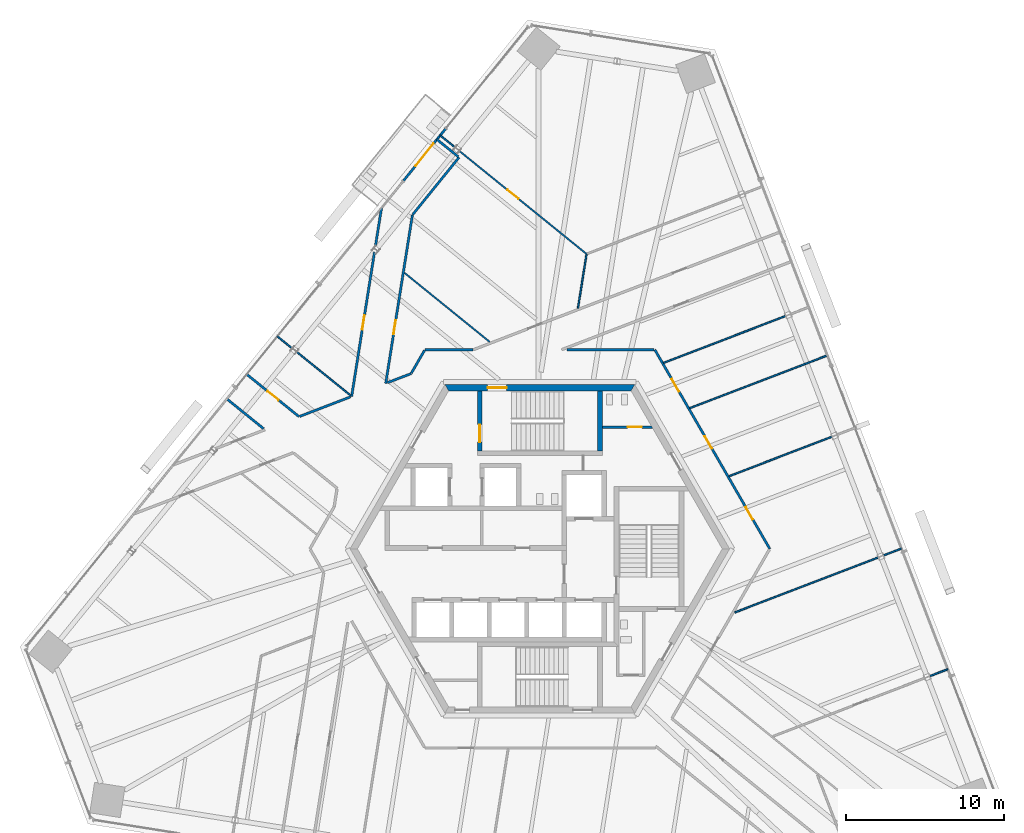
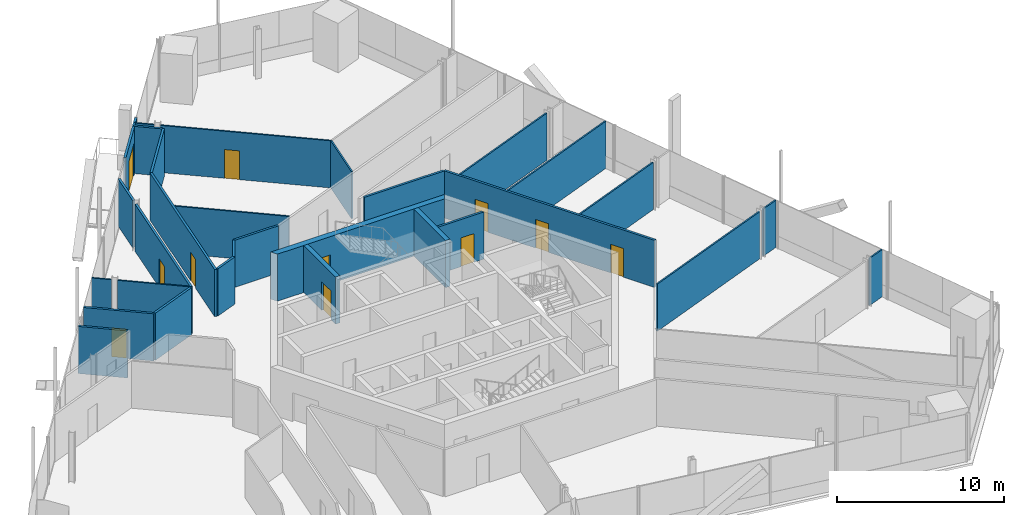
# One storey, part 14 of 21: 30 walls, 11 doors, 11 openings.
"""IFC4 building model written with IfcOpenShell, lengths in metres."""

from ifc_helpers import new_model, si_unit, direction, frame, frame_2d, origin, place, context, subcontext, project, spatial, polyline, rectangle, outline, extrude, source, transform, mapped, material, layer, layer_set, type_object, element, fill, save


model = new_model("IFC4")

# Units and contexts
model_context = context("Model", 3, precision=1e-05, world=origin(), true_north=direction((0.0, 1.0)))
body_context = subcontext(model_context, "Body", "Model", "MODEL_VIEW")
ifc_project = project(units=[si_unit("LENGTHUNIT", "METRE"), si_unit("AREAUNIT", "SQUARE_METRE"), si_unit("VOLUMEUNIT", "CUBIC_METRE"), si_unit("PLANEANGLEUNIT", "RADIAN"), si_unit("MASSUNIT", "GRAM", prefix="KILO")], contexts=[model_context])

# Site, building, storey
site_placement = place(None, origin())
site = spatial("IfcSite", under=ifc_project, at=site_placement, CompositionType="ELEMENT")
building_placement = place(site_placement, origin())
building = spatial("IfcBuilding", under=site, at=building_placement, Name="Triune Harvest Tower", CompositionType="ELEMENT")
storey_placement = place(building_placement, frame((0.0, 0.0, 160.5)))
storey = spatial("IfcBuildingStorey", under=building, at=storey_placement, Name="L41", CompositionType="ELEMENT", Elevation=160.5)

# Walls
ifc_material_1 = material(Name="Gypsum board on steel studs", Category="steel")
ifc_layer_1 = layer(ifc_material_1, 0.14990234375)
ifc_layer_set_1 = layer_set([ifc_layer_1], Name="Gypsum board on steel studs")
wall_type_1 = type_object("IfcWallType", Name="Fire Partition 150 mm", PredefinedType="PARTITIONING", material=ifc_layer_set_1)
wall_1_placement = place(storey_placement, frame((1.716064453125, 12.59228515625, 0.0), z_axis=(0.0, 0.0, 1.0), x_axis=(1.0, 0.0, 0.0)))
element("IfcWall", 1, at=wall_1_placement, inside=storey, type_object=wall_type_1, Name="Partition L41 021", PredefinedType="PARTITIONING", context=body_context, shape_type="SweptSolid", body=[
    extrude(rectangle(XDim=5.504150390625, YDim=0.14990234375, at=frame_2d((2.751953125, 0.0))), origin(), (0.0, 0.0, 1.0), 3.43994140625),
])
wall_2_placement = place(storey_placement, frame((-8.046142578125, 21.130126953125, 0.0), z_axis=(0.0, 0.0, 1.0), x_axis=(0.629303579369, 0.777159574987, 0.0)))
element("IfcWall", 2, at=wall_2_placement, inside=storey, type_object=wall_type_1, Name="Partition L41 041", PredefinedType="PARTITIONING", context=body_context, shape_type="SweptSolid", body=[
    extrude(rectangle(XDim=4.666259765625, YDim=0.14990234375, at=frame_2d((2.3330078125, 0.0))), origin(), (0.0, 0.0, 1.0), 3.43994140625),
])

# Wall, opening, door
wall_3_placement = place(storey_placement, frame((-9.745361328125, 10.465087890625, 0.0), z_axis=(0.0, 0.0, 1.0), x_axis=(0.156440444785, 0.987687393478, 0.0)))
wall_3 = element("IfcWall", 3, at=wall_3_placement, inside=storey, type_object=wall_type_1, Name="Partition L41 051", PredefinedType="PARTITIONING", context=body_context, shape_type="SweptSolid", body=[
    extrude(rectangle(XDim=10.7822265625, YDim=0.14990234375, at=frame_2d((5.39111328125, 0.0))), origin(), (0.0, 0.0, 1.0), 3.43994140625),
])
opening_1_placement = place(wall_3_placement, frame((3.14990234375, 0.0, 0.0)))
opening_1 = element("IfcOpeningElement", 4, at=opening_1_placement, cuts=wall_3, Name="Opening L41-010", PredefinedType="OPENING", context=body_context, shape_type="SweptSolid", body=[
    extrude(rectangle(XDim=0.89990234375, YDim=2.10009765625, at=frame_2d((0.449951171875, 1.050048828125))), frame((0.0, 0.0849609375, 0.0), z_axis=(0.0, -1.0, 0.0), x_axis=(1.0, 0.0, 0.0)), (0.0, 0.0, 1.0), 0.169921875),
])
ifc_material_2 = material(Name="Timber and steel door set", Category="steel")
door_type_1 = type_object("IfcDoorType", Name="Single leaf door FD30 right hand 900 x 2100", OperationType="SINGLE_SWING_RIGHT", PredefinedType="DOOR", material=ifc_material_2)
door_1_placement = place(opening_1_placement, origin())
door_1 = element("IfcDoor", 5, at=door_1_placement, inside=storey, type_object=door_type_1, Name="Door L41-010 Meeting Room 41.10", OperationType="SINGLE_SWING_RIGHT", OverallHeight=2.10009765625, OverallWidth=0.89990234375, PredefinedType="DOOR", context=body_context, shape_type="SweptSolid", body=[
    extrude(rectangle(XDim=0.89990234375, YDim=2.10009765625, at=frame_2d((0.449951171875, 1.050048828125))), frame((0.0, 0.02490234375, 0.0), z_axis=(0.0, -1.0, 0.0), x_axis=(1.0, 0.0, 0.0)), (0.0, 0.0, 1.0), 0.050048828125),
])
fill(opening_1, door_1)

# Wall
ifc_material_3 = material(Name="Gypsum board on steel studs", Category="steel")
ifc_layer_2 = layer(ifc_material_3, 0.10009765625)
ifc_layer_set_2 = layer_set([ifc_layer_2], Name="Gypsum board on steel studs")
wall_type_2 = type_object("IfcWallType", Name="Partition 100 mm", PredefinedType="PARTITIONING", material=ifc_layer_set_2)
wall_4_placement = place(storey_placement, frame((9.475341796875, 8.89111328125, 0.0), z_axis=(0.0, 0.0, 1.0), x_axis=(0.933573651999, 0.358385597219, 0.0)))
element("IfcWall", 6, at=wall_4_placement, inside=storey, type_object=wall_type_2, Name="Partition L41 029", PredefinedType="PARTITIONING", context=body_context, shape_type="SweptSolid", body=[
    extrude(rectangle(XDim=9.318359375, YDim=0.10009765625, at=frame_2d((4.6591796875, 0.0))), origin(), (0.0, 0.0, 1.0), 3.43994140625),
])

# Wall, opening, door
ifc_material_4 = material(Name="Concrete 70 MPa", Category="concrete")
ifc_layer_3 = layer(ifc_material_4, 0.39990234375)
ifc_layer_set_3 = layer_set([ifc_layer_3], Name="Concrete 70 MPa")
wall_type_3 = type_object("IfcWallType", Name="Core wall 400", PredefinedType="SHEAR", material=ifc_layer_set_3)
shared_shape_1 = source(origin(), body_context, "Body", "SweptSolid", [
    extrude(outline(polyline([(-0.115478515625, -0.199951171875), (11.884521484375, -0.199951171875), (11.653564453125, 0.199951171875), (0.115478515625, 0.199951171875), (-0.115478515625, -0.199951171875)])), origin(), (0.0, 0.0, 1.0), 3.43994140625),
])
wall_5_placement = place(storey_placement, frame((5.884521484375, 10.1923828125, 0.0), z_axis=(0.0, 0.0, 1.0), x_axis=(-1.0, 0.0, 0.0)))
wall_5 = element("IfcWall", 7, at=wall_5_placement, inside=storey, type_object=wall_type_3, Name="Hexagon 1 wall", PredefinedType="SHEAR", context=body_context, shape_type="MappedRepresentation", body=[
    mapped(shared_shape_1, transform((0.0, 0.0, 0.0), scale=1.0)),
])
opening_2_placement = place(wall_5_placement, frame((7.984619140625, 0.0, 0.0)))
opening_2 = element("IfcOpeningElement", 8, at=opening_2_placement, cuts=wall_5, Name="Opening CD-S1P", PredefinedType="OPENING", context=body_context, shape_type="SweptSolid", body=[
    extrude(rectangle(XDim=1.199951171875, YDim=2.10009765625, at=frame_2d((0.60009765625, 1.050048828125))), frame((0.0, 0.2099609375, 0.0), z_axis=(0.0, -1.0, 0.0), x_axis=(1.0, 0.0, 0.0)), (0.0, 0.0, 1.0), 0.419921875),
])
ifc_material_5 = material(Name="Steel S235", Category="steel")
door_type_2 = type_object("IfcDoorType", Name="Stair door 1200 FD120", OperationType="SINGLE_SWING_LEFT", PredefinedType="DOOR", material=ifc_material_5)
door_2_placement = place(opening_2_placement, frame((1.199951171875, 0.0, 0.0), z_axis=(0.0, 0.0, 1.0), x_axis=(-1.0, 0.0, 0.0)))
door_2 = element("IfcDoor", 9, at=door_2_placement, inside=storey, type_object=door_type_2, Name="Door CD-S1P", OperationType="SINGLE_SWING_RIGHT", OverallHeight=2.10009765625, OverallWidth=1.199951171875, PredefinedType="DOOR", context=body_context, shape_type="SweptSolid", body=[
    extrude(rectangle(XDim=1.199951171875, YDim=2.10009765625, at=frame_2d((0.60009765625, 1.050048828125))), frame((0.0, 0.02490234375, 0.0), z_axis=(0.0, -1.0, 0.0), x_axis=(1.0, 0.0, 0.0)), (0.0, 0.0, 1.0), 0.050048828125),
])
fill(opening_2, door_2)

ifc_material_6 = material(Name="Concrete 70 MPa", Category="concrete")
ifc_layer_4 = layer(ifc_material_6, 0.300048828125)
ifc_layer_set_4 = layer_set([ifc_layer_4], Name="Concrete 70 MPa")
wall_type_4 = type_object("IfcWallType", Name="Core wall 300", PredefinedType="SHEAR", material=ifc_layer_set_4)
shared_shape_2 = source(origin(), body_context, "Body", "SweptSolid", [
    extrude(outline(polyline([(0.0, -0.14990234375), (0.0, 0.14990234375), (3.80419921875, 0.14990234375), (3.80419921875, -0.14990234375), (0.0, -0.14990234375)])), origin(), (0.0, 0.0, 1.0), 3.43994140625),
])
wall_6_placement = place(storey_placement, frame((-3.800048828125, 6.18994140625, 0.0), z_axis=(0.0, 0.0, 1.0), x_axis=(0.0, 1.0, 0.0)))
wall_6 = element("IfcWall", 10, at=wall_6_placement, inside=storey, type_object=wall_type_4, Name="Stair n west wall", PredefinedType="SHEAR", context=body_context, shape_type="MappedRepresentation", body=[
    mapped(shared_shape_2, transform((0.0, 0.0, 0.0), scale=1.0)),
])
opening_3_placement = place(wall_6_placement, frame((0.56005859375, 0.0, 0.0)))
opening_3 = element("IfcOpeningElement", 11, at=opening_3_placement, cuts=wall_6, Name="Opening CD-S1L", PredefinedType="OPENING", context=body_context, shape_type="SweptSolid", body=[
    extrude(rectangle(XDim=1.10009765625, YDim=2.10009765625, at=frame_2d((0.550048828125, 1.050048828125))), frame((0.0, 0.16015625, 0.0), z_axis=(0.0, -1.0, 0.0), x_axis=(1.0, 0.0, 0.0)), (0.0, 0.0, 1.0), 0.320068359375),
])
ifc_material_7 = material(Name="Steel S235", Category="steel")
door_type_3 = type_object("IfcDoorType", Name="Stair door 1100 FD120", OperationType="SINGLE_SWING_LEFT", PredefinedType="DOOR", material=ifc_material_7)
door_3_placement = place(opening_3_placement, frame((1.10009765625, 0.0, 0.0), z_axis=(0.0, 0.0, 1.0), x_axis=(-1.0, 0.0, 0.0)))
door_3 = element("IfcDoor", 12, at=door_3_placement, inside=storey, type_object=door_type_3, Name="Door CD-S1L", OperationType="SINGLE_SWING_RIGHT", OverallHeight=2.10009765625, OverallWidth=1.10009765625, PredefinedType="DOOR", context=body_context, shape_type="SweptSolid", body=[
    extrude(rectangle(XDim=1.10009765625, YDim=2.10009765625, at=frame_2d((0.550048828125, 1.050048828125))), frame((0.0, 0.02490234375, 0.0), z_axis=(0.0, -1.0, 0.0), x_axis=(1.0, 0.0, 0.0)), (0.0, 0.0, 1.0), 0.050048828125),
])
fill(opening_3, door_3)

# Wall
wall_7_placement = place(storey_placement, frame((3.800048828125, 6.18994140625, 0.0), z_axis=(0.0, 0.0, 1.0), x_axis=(0.0, 1.0, 0.0)))
element("IfcWall", 13, at=wall_7_placement, inside=storey, type_object=wall_type_4, Name="Stair n east wall", PredefinedType="SHEAR", context=body_context, shape_type="MappedRepresentation", body=[
    mapped(shared_shape_2, transform((0.0, 0.0, 0.0), scale=1.0)),
])

# Wall, opening, door
ifc_material_8 = material(Name="Concrete masonry unit", Category="masonry")
ifc_layer_5 = layer(ifc_material_8, 0.14990234375)
ifc_layer_set_5 = layer_set([ifc_layer_5], Name="Concrete masonry unit")
wall_type_5 = type_object("IfcWallType", Name="Block partition 150 unrated", PredefinedType="PARTITIONING", material=ifc_layer_set_5)
shared_shape_3 = source(origin(), body_context, "Body", "SweptSolid", [
    extrude(outline(polyline([(0.0, -0.074951171875), (0.0, 0.074951171875), (3.1015625, 0.074951171875), (3.18798828125, -0.074951171875), (0.0, -0.074951171875)])), origin(), (0.0, 0.0, 1.0), 3.43994140625),
])
wall_8_placement = place(storey_placement, frame((3.949951171875, 7.699951171875, 0.0), z_axis=(0.0, 0.0, 1.0), x_axis=(1.0, 0.0, 0.0)))
wall_8 = element("IfcWall", 14, at=wall_8_placement, inside=storey, type_object=wall_type_5, Name="Wc women south wall", PredefinedType="PARTITIONING", context=body_context, shape_type="MappedRepresentation", body=[
    mapped(shared_shape_3, transform((0.0, 0.0, 0.0), scale=1.0)),
])
opening_4_placement = place(wall_8_placement, frame((1.60009765625, 0.0, 0.0)))
opening_4 = element("IfcOpeningElement", 15, at=opening_4_placement, cuts=wall_8, Name="Opening CD-WW", PredefinedType="OPENING", context=body_context, shape_type="SweptSolid", body=[
    extrude(rectangle(XDim=0.89990234375, YDim=2.10009765625, at=frame_2d((0.449951171875, 1.050048828125))), frame((0.0, 0.0849609375, 0.0), z_axis=(0.0, -1.0, 0.0), x_axis=(1.0, 0.0, 0.0)), (0.0, 0.0, 1.0), 0.169921875),
])
ifc_material_9 = material(Name="Timber C24", Category="wood")
door_type_4 = type_object("IfcDoorType", Name="WC door 900", OperationType="SINGLE_SWING_LEFT", PredefinedType="DOOR", material=ifc_material_9)
door_4_placement = place(opening_4_placement, origin())
door_4 = element("IfcDoor", 16, at=door_4_placement, inside=storey, type_object=door_type_4, Name="Door CD-WW", OperationType="SINGLE_SWING_LEFT", OverallHeight=2.10009765625, OverallWidth=0.89990234375, PredefinedType="DOOR", context=body_context, shape_type="SweptSolid", body=[
    extrude(rectangle(XDim=0.89990234375, YDim=2.10009765625, at=frame_2d((0.449951171875, 1.050048828125))), frame((0.0, 0.02490234375, 0.0), z_axis=(0.0, -1.0, 0.0), x_axis=(1.0, 0.0, 0.0)), (0.0, 0.0, 1.0), 0.050048828125),
])
fill(opening_4, door_4)

ifc_material_10 = material(Name="Aluminium bronze anodised", Category="aluminium")
ifc_layer_6 = layer(ifc_material_10, 0.14990234375)
ifc_layer_set_6 = layer_set([ifc_layer_6], Name="Aluminium bronze anodised")
wall_type_6 = type_object("IfcWallType", Name="WW-2 balcony window wall", PredefinedType="ELEMENTEDWALL", material=ifc_layer_set_6)
shared_shape_4 = source(origin(), body_context, "Body", "SweptSolid", [
    extrude(rectangle(XDim=4.22119140625, YDim=0.14990234375, at=frame_2d((2.110595703125, 0.0))), origin(), (0.0, 0.0, 1.0), 3.43994140625),
])
wall_9_placement = place(storey_placement, frame((-8.623291015625, 23.277587890625, 0.0), z_axis=(0.0, 0.0, 1.0), x_axis=(0.629318013876, 0.777147886449, 0.0)))
wall_9 = element("IfcWall", 17, at=wall_9_placement, inside=storey, type_object=wall_type_6, Name="WW-2 B4-F3 L41.3", PredefinedType="ELEMENTEDWALL", context=body_context, shape_type="MappedRepresentation", body=[
    mapped(shared_shape_4, transform((0.0, 0.0, 0.0), scale=1.0)),
])
opening_5_placement = place(wall_9_placement, frame((1.21044921875, 0.0, 0.0)))
opening_5 = element("IfcOpeningElement", 18, at=opening_5_placement, cuts=wall_9, Name="Opening L41-E01", PredefinedType="OPENING", context=body_context, shape_type="SweptSolid", body=[
    extrude(rectangle(XDim=1.800048828125, YDim=2.39990234375, at=frame_2d((0.89990234375, 1.199951171875))), frame((0.0, 0.0849609375, 0.0), z_axis=(0.0, -1.0, 0.0), x_axis=(1.0, 0.0, 0.0)), (0.0, 0.0, 1.0), 0.169921875),
])
ifc_material_11 = material(Name="Glass", Category="glass")
door_type_5 = type_object("IfcDoorType", Name="DB-1 balcony door 1800 x 2400", OperationType="DOUBLE_DOOR_SINGLE_SWING", PredefinedType="DOOR", material=ifc_material_11)
door_5_placement = place(opening_5_placement, origin())
door_5 = element("IfcDoor", 19, at=door_5_placement, inside=storey, type_object=door_type_5, Name="Door L41-E01", OperationType="DOUBLE_DOOR_SINGLE_SWING", OverallHeight=2.39990234375, OverallWidth=1.800048828125, PredefinedType="DOOR", context=body_context, shape_type="SweptSolid", body=[
    extrude(rectangle(XDim=1.800048828125, YDim=2.39990234375, at=frame_2d((0.89990234375, 1.199951171875))), frame((0.0, 0.02490234375, 0.0), z_axis=(0.0, -1.0, 0.0), x_axis=(1.0, 0.0, 0.0)), (0.0, 0.0, 1.0), 0.050048828125),
])
fill(opening_5, door_5)

# Walls
shared_shape_5 = source(origin(), body_context, "Body", "SweptSolid", [
    extrude(rectangle(XDim=1.739990234375, YDim=0.14990234375, at=frame_2d((0.8701171875, 0.0))), origin(), (0.0, 0.0, 1.0), 3.43994140625),
])
wall_10_placement = place(storey_placement, frame((-6.50830078125, 25.889404296875, 0.0), z_axis=(0.0, 0.0, 1.0), x_axis=(0.777172981166, -0.629287023024, 0.0)))
element("IfcWall", 20, at=wall_10_placement, inside=storey, type_object=wall_type_1, Name="Partition L41 016", PredefinedType="PARTITIONING", context=body_context, shape_type="MappedRepresentation", body=[
    mapped(shared_shape_5, transform((0.0, 0.0, 0.0), scale=1.0)),
])
shared_shape_6 = source(origin(), body_context, "Body", "SweptSolid", [
    extrude(rectangle(XDim=1.212158203125, YDim=0.10009765625, at=frame_2d((0.60595703125, 0.0))), origin(), (0.0, 0.0, 1.0), 3.43994140625),
])
for number, where, z_axis, x_axis, name in (
    (21, (-16.5927734375, 13.436279296875, 0.0), (0.0, 0.0, 1.0), (0.777240180322, -0.629204022629, 0.0), "Partition L41 011"),
    (22, (-6.30322265625, 26.142578125, 0.0), (0.0, 0.0, 1.0), (0.777240180322, -0.629204022629, 0.0), "Partition L41 017"),
    (23, (24.660400390625, -8.047119140625, 0.0), (0.0, 0.0, 1.0), (0.933594564159, 0.358331117506, 0.0), "Partition L41 023"),
    (24, (21.730712890625, -0.4150390625, 0.0), (0.0, 0.0, 1.0), (0.933594564159, 0.358331117506, 0.0), "Partition L41 025"),
):
    element("IfcWall", number, at=place(storey_placement, frame(where, z_axis=z_axis, x_axis=x_axis)), inside=storey, type_object=wall_type_2, Name=name, PredefinedType="PARTITIONING", context=body_context, shape_type="MappedRepresentation", body=[
        mapped(shared_shape_6, transform((0.0, 0.0, 0.0), scale=1.0)),
    ])

# Wall, opening, door
shared_shape_7 = source(origin(), body_context, "Body", "SweptSolid", [
    extrude(rectangle(XDim=10.345458984375, YDim=0.10009765625, at=frame_2d((5.1728515625, 0.0))), origin(), (0.0, 0.0, 1.0), 3.43994140625),
])
wall_11_placement = place(storey_placement, frame((-5.086669921875, 25.157470703125, 0.0), z_axis=(0.0, 0.0, 1.0), x_axis=(0.777155284418, -0.629308877978, 0.0)))
wall_11 = element("IfcWall", 25, at=wall_11_placement, inside=storey, type_object=wall_type_2, Name="Partition L41 018", PredefinedType="PARTITIONING", context=body_context, shape_type="MappedRepresentation", body=[
    mapped(shared_shape_7, transform((0.0, 0.0, 0.0), scale=1.0)),
])
opening_6_placement = place(wall_11_placement, frame((3.8955078125, 0.0, 0.0)))
opening_6 = element("IfcOpeningElement", 26, at=opening_6_placement, cuts=wall_11, Name="Opening L41-007", PredefinedType="OPENING", context=body_context, shape_type="SweptSolid", body=[
    extrude(rectangle(XDim=0.89990234375, YDim=2.10009765625, at=frame_2d((0.449951171875, 1.050048828125))), frame((0.0, 0.06005859375, 0.0), z_axis=(0.0, -1.0, 0.0), x_axis=(1.0, 0.0, 0.0)), (0.0, 0.0, 1.0), 0.1201171875),
])
ifc_material_12 = material(Name="Timber and steel door set", Category="steel")
door_type_6 = type_object("IfcDoorType", Name="Single leaf door left hand 900 x 2100", OperationType="SINGLE_SWING_LEFT", PredefinedType="DOOR", material=ifc_material_12)
door_6_placement = place(opening_6_placement, origin())
door_6 = element("IfcDoor", 27, at=door_6_placement, inside=storey, type_object=door_type_6, Name="Door L41-007 Reception 41.07", OperationType="SINGLE_SWING_LEFT", OverallHeight=2.10009765625, OverallWidth=0.89990234375, PredefinedType="DOOR", context=body_context, shape_type="SweptSolid", body=[
    extrude(rectangle(XDim=0.89990234375, YDim=2.10009765625, at=frame_2d((0.449951171875, 1.050048828125))), frame((0.0, 0.02490234375, 0.0), z_axis=(0.0, -1.0, 0.0), x_axis=(1.0, 0.0, 0.0)), (0.0, 0.0, 1.0), 0.050048828125),
])
fill(opening_6, door_6)

# Wall, openings, doors
shared_shape_8 = source(origin(), body_context, "Body", "SweptSolid", [
    extrude(rectangle(XDim=14.539794921875, YDim=0.14990234375, at=frame_2d((7.27001953125, 0.0))), origin(), (0.0, 0.0, 1.0), 3.43994140625),
])
wall_12_placement = place(storey_placement, frame((7.270263671875, 12.592041015625, 0.0), z_axis=(0.0, 0.0, 1.0), x_axis=(0.500007335828, -0.866021168401, 0.0)))
wall_12 = element("IfcWall", 28, at=wall_12_placement, inside=storey, type_object=wall_type_1, Name="Partition L41 004", PredefinedType="PARTITIONING", context=body_context, shape_type="MappedRepresentation", body=[
    mapped(shared_shape_8, transform((0.0, 0.0, 0.0), scale=1.0)),
])
opening_7_placement = place(wall_12_placement, frame((11.489990234375, 0.0, 0.0)))
opening_7 = element("IfcOpeningElement", 29, at=opening_7_placement, cuts=wall_12, Name="Opening L41-002", PredefinedType="OPENING", context=body_context, shape_type="SweptSolid", body=[
    extrude(rectangle(XDim=0.89990234375, YDim=2.10009765625, at=frame_2d((0.449951171875, 1.050048828125))), frame((0.0, 0.0849609375, 0.0), z_axis=(0.0, -1.0, 0.0), x_axis=(1.0, 0.0, 0.0)), (0.0, 0.0, 1.0), 0.169921875),
])
opening_8_placement = place(wall_12_placement, frame((2.148193359375, 0.0, 0.0)))
opening_8 = element("IfcOpeningElement", 30, at=opening_8_placement, cuts=wall_12, Name="Opening L41-003", PredefinedType="OPENING", context=body_context, shape_type="SweptSolid", body=[
    extrude(rectangle(XDim=0.89990234375, YDim=2.10009765625, at=frame_2d((0.449951171875, 1.050048828125))), frame((0.0, 0.0849609375, 0.0), z_axis=(0.0, -1.0, 0.0), x_axis=(1.0, 0.0, 0.0)), (0.0, 0.0, 1.0), 0.169921875),
])
opening_9_placement = place(wall_12_placement, frame((6.314453125, 0.0, 0.0)))
opening_9 = element("IfcOpeningElement", 31, at=opening_9_placement, cuts=wall_12, Name="Opening L41-004", PredefinedType="OPENING", context=body_context, shape_type="SweptSolid", body=[
    extrude(rectangle(XDim=0.89990234375, YDim=2.10009765625, at=frame_2d((0.449951171875, 1.050048828125))), frame((0.0, 0.0849609375, 0.0), z_axis=(0.0, -1.0, 0.0), x_axis=(1.0, 0.0, 0.0)), (0.0, 0.0, 1.0), 0.169921875),
])
ifc_material_13 = material(Name="Timber and steel door set", Category="steel")
door_type_7 = type_object("IfcDoorType", Name="Single leaf door FD30 left hand 900 x 2100", OperationType="SINGLE_SWING_LEFT", PredefinedType="DOOR", material=ifc_material_13)
door_7_placement = place(opening_8_placement, origin())
door_7 = element("IfcDoor", 32, at=door_7_placement, inside=storey, type_object=door_type_7, Name="Door L41-003 Meeting Room 41.03", OperationType="SINGLE_SWING_LEFT", OverallHeight=2.10009765625, OverallWidth=0.89990234375, PredefinedType="DOOR", context=body_context, shape_type="SweptSolid", body=[
    extrude(rectangle(XDim=0.89990234375, YDim=2.10009765625, at=frame_2d((0.449951171875, 1.050048828125))), frame((0.0, 0.02490234375, 0.0), z_axis=(0.0, -1.0, 0.0), x_axis=(1.0, 0.0, 0.0)), (0.0, 0.0, 1.0), 0.050048828125),
])
fill(opening_8, door_7)
door_8_placement = place(opening_9_placement, origin())
door_8 = element("IfcDoor", 33, at=door_8_placement, inside=storey, type_object=door_type_7, Name="Door L41-004 Phone room 41.04", OperationType="SINGLE_SWING_LEFT", OverallHeight=2.10009765625, OverallWidth=0.89990234375, PredefinedType="DOOR", context=body_context, shape_type="SweptSolid", body=[
    extrude(rectangle(XDim=0.89990234375, YDim=2.10009765625, at=frame_2d((0.449951171875, 1.050048828125))), frame((0.0, 0.02490234375, 0.0), z_axis=(0.0, -1.0, 0.0), x_axis=(1.0, 0.0, 0.0)), (0.0, 0.0, 1.0), 0.050048828125),
])
fill(opening_9, door_8)
door_9_placement = place(opening_7_placement, origin())
door_9 = element("IfcDoor", 34, at=door_9_placement, inside=storey, type_object=door_type_1, Name="Door L41-002 Project Room 41.02", OperationType="SINGLE_SWING_RIGHT", OverallHeight=2.10009765625, OverallWidth=0.89990234375, PredefinedType="DOOR", context=body_context, shape_type="SweptSolid", body=[
    extrude(rectangle(XDim=0.89990234375, YDim=2.10009765625, at=frame_2d((0.449951171875, 1.050048828125))), frame((0.0, 0.02490234375, 0.0), z_axis=(0.0, -1.0, 0.0), x_axis=(1.0, 0.0, 0.0)), (0.0, 0.0, 1.0), 0.050048828125),
])
fill(opening_7, door_9)

# Wall
shared_shape_9 = source(origin(), body_context, "Body", "SweptSolid", [
    extrude(rectangle(XDim=2.989013671875, YDim=0.14990234375, at=frame_2d((1.49462890625, 0.0))), origin(), (0.0, 0.0, 1.0), 3.43994140625),
])
wall_13_placement = place(storey_placement, frame((-19.794189453125, 9.482666015625, 0.0), z_axis=(0.0, 0.0, 1.0), x_axis=(0.777117409307, -0.629355648383, 0.0)))
element("IfcWall", 35, at=wall_13_placement, inside=storey, type_object=wall_type_1, Name="Partition L41 006", PredefinedType="PARTITIONING", context=body_context, shape_type="MappedRepresentation", body=[
    mapped(shared_shape_9, transform((0.0, 0.0, 0.0), scale=1.0)),
])

# Wall, opening, door
shared_shape_10 = source(origin(), body_context, "Body", "SweptSolid", [
    extrude(rectangle(XDim=4.25390625, YDim=0.14990234375, at=frame_2d((2.126953125, 0.0))), origin(), (0.0, 0.0, 1.0), 3.43994140625),
])
wall_14_placement = place(storey_placement, frame((-18.53564453125, 11.036865234375, 0.0), z_axis=(0.0, 0.0, 1.0), x_axis=(0.777153977788, -0.629310491577, 0.0)))
wall_14 = element("IfcWall", 36, at=wall_14_placement, inside=storey, type_object=wall_type_1, Name="Partition L41 009", PredefinedType="PARTITIONING", context=body_context, shape_type="MappedRepresentation", body=[
    mapped(shared_shape_10, transform((0.0, 0.0, 0.0), scale=1.0)),
])
opening_10_placement = place(wall_14_placement, frame((1.703857421875, 0.0, 0.0)))
opening_10 = element("IfcOpeningElement", 37, at=opening_10_placement, cuts=wall_14, Name="Opening L41-011", PredefinedType="OPENING", context=body_context, shape_type="SweptSolid", body=[
    extrude(rectangle(XDim=0.89990234375, YDim=2.10009765625, at=frame_2d((0.449951171875, 1.050048828125))), frame((0.0, 0.0849609375, 0.0), z_axis=(0.0, -1.0, 0.0), x_axis=(1.0, 0.0, 0.0)), (0.0, 0.0, 1.0), 0.169921875),
])
door_10_placement = place(opening_10_placement, origin())
door_10 = element("IfcDoor", 38, at=door_10_placement, inside=storey, type_object=door_type_1, Name="Door L41-011 Office 41.11", OperationType="SINGLE_SWING_RIGHT", OverallHeight=2.10009765625, OverallWidth=0.89990234375, PredefinedType="DOOR", context=body_context, shape_type="SweptSolid", body=[
    extrude(rectangle(XDim=0.89990234375, YDim=2.10009765625, at=frame_2d((0.449951171875, 1.050048828125))), frame((0.0, 0.02490234375, 0.0), z_axis=(0.0, -1.0, 0.0), x_axis=(1.0, 0.0, 0.0)), (0.0, 0.0, 1.0), 0.050048828125),
])
fill(opening_10, door_10)

# Walls
shared_shape_11 = source(origin(), body_context, "Body", "SweptSolid", [
    extrude(rectangle(XDim=4.381103515625, YDim=0.10009765625, at=frame_2d((2.1904296875, 0.0))), origin(), (0.0, 0.0, 1.0), 3.43994140625),
])
wall_15_placement = place(storey_placement, frame((-15.376220703125, 12.451171875, 0.0), z_axis=(0.0, 0.0, 1.0), x_axis=(0.777152723877, -0.629312040065, 0.0)))
element("IfcWall", 39, at=wall_15_placement, inside=storey, type_object=wall_type_2, Name="Partition L41 012", PredefinedType="PARTITIONING", context=body_context, shape_type="MappedRepresentation", body=[
    mapped(shared_shape_11, transform((0.0, 0.0, 0.0), scale=1.0)),
])
shared_shape_12 = source(origin(), body_context, "Body", "SweptSolid", [
    extrude(rectangle(XDim=6.950439453125, YDim=0.10009765625, at=frame_2d((3.47509765625, 0.0))), origin(), (0.0, 0.0, 1.0), 3.43994140625),
])
wall_16_placement = place(storey_placement, frame((-8.56005859375, 17.451171875, 0.0), z_axis=(0.0, 0.0, 1.0), x_axis=(0.777122974446, -0.629348776584, 0.0)))
element("IfcWall", 40, at=wall_16_placement, inside=storey, type_object=wall_type_2, Name="Partition L41 015", PredefinedType="PARTITIONING", context=body_context, shape_type="MappedRepresentation", body=[
    mapped(shared_shape_12, transform((0.0, 0.0, 0.0), scale=1.0)),
])
shared_shape_13 = source(origin(), body_context, "Body", "SweptSolid", [
    extrude(rectangle(XDim=3.05615234375, YDim=0.14990234375, at=frame_2d((1.528076171875, 0.0))), origin(), (0.0, 0.0, 1.0), 3.43994140625),
])
wall_17_placement = place(storey_placement, frame((-7.270263671875, 12.59228515625, 0.0), z_axis=(0.0, 0.0, 1.0), x_axis=(1.0, 0.0, 0.0)))
element("IfcWall", 41, at=wall_17_placement, inside=storey, type_object=wall_type_1, Name="Partition L41 020", PredefinedType="PARTITIONING", context=body_context, shape_type="MappedRepresentation", body=[
    mapped(shared_shape_13, transform((0.0, 0.0, 0.0), scale=1.0)),
])
shared_shape_14 = source(origin(), body_context, "Body", "SweptSolid", [
    extrude(rectangle(XDim=9.72119140625, YDim=0.10009765625, at=frame_2d((4.860595703125, 0.0))), origin(), (0.0, 0.0, 1.0), 3.43994140625),
])
wall_18_placement = place(storey_placement, frame((12.3251953125, -4.025390625, 0.0), z_axis=(0.0, 0.0, 1.0), x_axis=(0.933575198218, 0.35838156938, 0.0)))
element("IfcWall", 42, at=wall_18_placement, inside=storey, type_object=wall_type_2, Name="Partition L41 024", PredefinedType="PARTITIONING", context=body_context, shape_type="MappedRepresentation", body=[
    mapped(shared_shape_14, transform((0.0, 0.0, 0.0), scale=1.0)),
])
shared_shape_15 = source(origin(), body_context, "Body", "SweptSolid", [
    extrude(rectangle(XDim=6.975830078125, YDim=0.10009765625, at=frame_2d((3.48779296875, 0.0))), origin(), (0.0, 0.0, 1.0), 3.43994140625),
])
wall_19_placement = place(storey_placement, frame((11.95849609375, 4.5908203125, 0.0), z_axis=(0.0, 0.0, 1.0), x_axis=(0.933575428169, 0.358380970364, 0.0)))
element("IfcWall", 43, at=wall_19_placement, inside=storey, type_object=wall_type_2, Name="Partition L41 027", PredefinedType="PARTITIONING", context=body_context, shape_type="MappedRepresentation", body=[
    mapped(shared_shape_15, transform((0.0, 0.0, 0.0), scale=1.0)),
])
shared_shape_16 = source(origin(), body_context, "Body", "SweptSolid", [
    extrude(rectangle(XDim=8.270751953125, YDim=0.10009765625, at=frame_2d((4.13525390625, 0.0))), origin(), (0.0, 0.0, 1.0), 3.43994140625),
])
wall_20_placement = place(storey_placement, frame((7.820068359375, 11.75830078125, 0.0), z_axis=(0.0, 0.0, 1.0), x_axis=(0.933575170853, 0.358381640666, 0.0)))
element("IfcWall", 44, at=wall_20_placement, inside=storey, type_object=wall_type_2, Name="Partition L41 030", PredefinedType="PARTITIONING", context=body_context, shape_type="MappedRepresentation", body=[
    mapped(shared_shape_16, transform((0.0, 0.0, 0.0), scale=1.0)),
])
shared_shape_17 = source(origin(), body_context, "Body", "SweptSolid", [
    extrude(rectangle(XDim=3.435302734375, YDim=0.14990234375, at=frame_2d((1.7177734375, 0.0))), origin(), (0.0, 0.0, 1.0), 3.43994140625),
])
wall_21_placement = place(storey_placement, frame((-15.18310546875, 8.377685546875, 0.0), z_axis=(0.0, 0.0, 1.0), x_axis=(0.933567062132, 0.358402762967, 0.0)))
element("IfcWall", 45, at=wall_21_placement, inside=storey, type_object=wall_type_1, Name="Partition L41 036", PredefinedType="PARTITIONING", context=body_context, shape_type="MappedRepresentation", body=[
    mapped(shared_shape_17, transform((0.0, 0.0, 0.0), scale=1.0)),
])
shared_shape_18 = source(origin(), body_context, "Body", "SweptSolid", [
    extrude(rectangle(XDim=1.606201171875, YDim=0.14990234375, at=frame_2d((0.80322265625, 0.0))), origin(), (0.0, 0.0, 1.0), 3.43994140625),
])
wall_22_placement = place(storey_placement, frame((-9.642822265625, 10.50439453125, 0.0), z_axis=(0.0, 0.0, 1.0), x_axis=(0.933564808853, 0.358408632249, 0.0)))
element("IfcWall", 46, at=wall_22_placement, inside=storey, type_object=wall_type_1, Name="Partition L41 037", PredefinedType="PARTITIONING", context=body_context, shape_type="MappedRepresentation", body=[
    mapped(shared_shape_18, transform((0.0, 0.0, 0.0), scale=1.0)),
])
shared_shape_19 = source(origin(), body_context, "Body", "SweptSolid", [
    extrude(rectangle(XDim=1.676025390625, YDim=0.14990234375, at=frame_2d((0.837890625, 0.0))), origin(), (0.0, 0.0, 1.0), 3.43994140625),
])
wall_23_placement = place(storey_placement, frame((-8.12841796875, 11.106201171875, 0.0), z_axis=(0.0, 0.0, 1.0), x_axis=(0.500071299944, 0.865984234829, 0.0)))
element("IfcWall", 47, at=wall_23_placement, inside=storey, type_object=wall_type_1, Name="Partition L41 044", PredefinedType="PARTITIONING", context=body_context, shape_type="MappedRepresentation", body=[
    mapped(shared_shape_19, transform((0.0, 0.0, 0.0), scale=1.0)),
])
shared_shape_20 = source(origin(), body_context, "Body", "SweptSolid", [
    extrude(rectangle(XDim=3.454833984375, YDim=0.10009765625, at=frame_2d((1.7275390625, 0.0))), origin(), (0.0, 0.0, 1.0), 3.43994140625),
])
wall_24_placement = place(storey_placement, frame((2.409912109375, 15.214599609375, 0.0), z_axis=(0.0, 0.0, 1.0), x_axis=(0.156452435022, 0.987685494262, 0.0)))
element("IfcWall", 48, at=wall_24_placement, inside=storey, type_object=wall_type_2, Name="Partition L41 047", PredefinedType="PARTITIONING", context=body_context, shape_type="MappedRepresentation", body=[
    mapped(shared_shape_20, transform((0.0, 0.0, 0.0), scale=1.0)),
])

# Wall, opening, door
shared_shape_21 = source(origin(), body_context, "Body", "SweptSolid", [
    extrude(rectangle(XDim=9.235595703125, YDim=0.14990234375, at=frame_2d((4.61767578125, 0.0))), origin(), (0.0, 0.0, 1.0), 3.43994140625),
])
wall_25_placement = place(storey_placement, frame((-11.9013671875, 9.6376953125, 0.0), z_axis=(0.0, 0.0, 1.0), x_axis=(0.156441741277, 0.987687188125, 0.0)))
wall_25 = element("IfcWall", 49, at=wall_25_placement, inside=storey, type_object=wall_type_1, Name="Partition L41 054", PredefinedType="PARTITIONING", context=body_context, shape_type="MappedRepresentation", body=[
    mapped(shared_shape_21, transform((0.0, 0.0, 0.0), scale=1.0)),
])
opening_11_placement = place(wall_25_placement, frame((4.28955078125, 0.0, 0.0)))
opening_11 = element("IfcOpeningElement", 50, at=opening_11_placement, cuts=wall_25, Name="Opening L41-009", PredefinedType="OPENING", context=body_context, shape_type="SweptSolid", body=[
    extrude(rectangle(XDim=0.89990234375, YDim=2.10009765625, at=frame_2d((0.449951171875, 1.050048828125))), frame((0.0, 0.0849609375, 0.0), z_axis=(0.0, -1.0, 0.0), x_axis=(1.0, 0.0, 0.0)), (0.0, 0.0, 1.0), 0.169921875),
])
door_11_placement = place(opening_11_placement, origin())
door_11 = element("IfcDoor", 51, at=door_11_placement, inside=storey, type_object=door_type_1, Name="Door L41-009 Meeting Room 41.09", OperationType="SINGLE_SWING_RIGHT", OverallHeight=2.10009765625, OverallWidth=0.89990234375, PredefinedType="DOOR", context=body_context, shape_type="SweptSolid", body=[
    extrude(rectangle(XDim=0.89990234375, YDim=2.10009765625, at=frame_2d((0.449951171875, 1.050048828125))), frame((0.0, 0.02490234375, 0.0), z_axis=(0.0, -1.0, 0.0), x_axis=(1.0, 0.0, 0.0)), (0.0, 0.0, 1.0), 0.050048828125),
])
fill(opening_11, door_11)

# Wall
shared_shape_22 = source(origin(), body_context, "Body", "SweptSolid", [
    extrude(rectangle(XDim=2.428955078125, YDim=0.14990234375, at=frame_2d((1.21435546875, 0.0))), origin(), (0.0, 0.0, 1.0), 3.43994140625),
])
wall_26_placement = place(storey_placement, frame((-10.392578125, 19.16259765625, 0.0), z_axis=(0.0, 0.0, 1.0), x_axis=(0.156390941552, 0.987695233055, 0.0)))
element("IfcWall", 52, at=wall_26_placement, inside=storey, type_object=wall_type_1, Name="Partition L41 055", PredefinedType="PARTITIONING", context=body_context, shape_type="MappedRepresentation", body=[
    mapped(shared_shape_22, transform((0.0, 0.0, 0.0), scale=1.0)),
])

save(model, "model.ifc")
